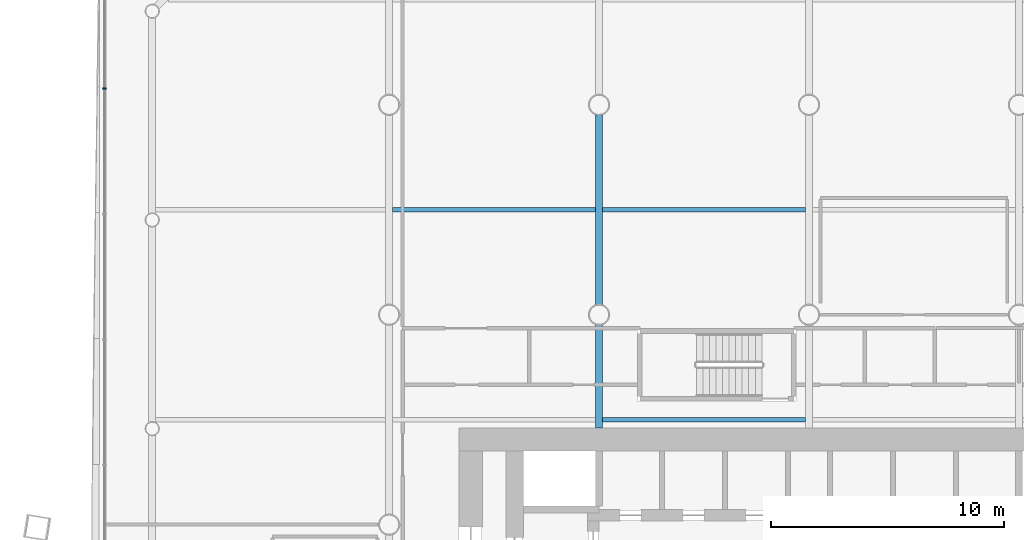
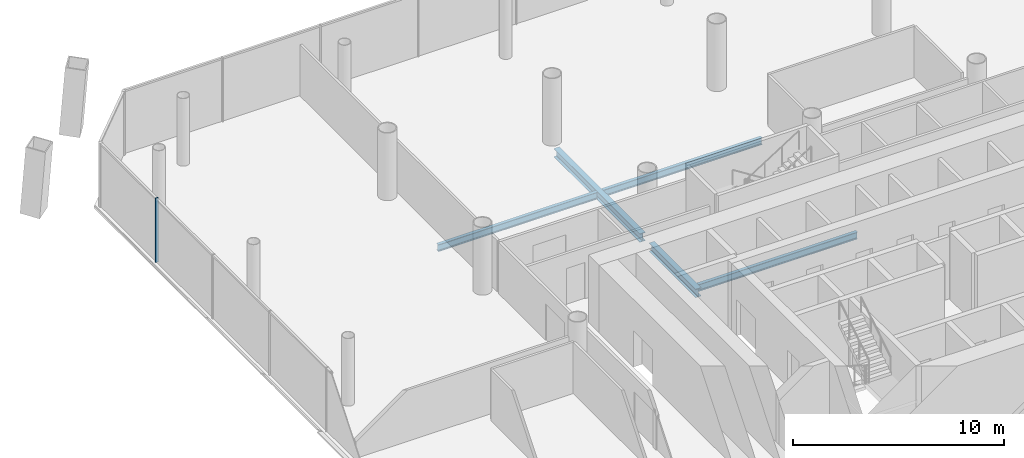
# One storey, part 9 of 22: 5 beams, 1 member, 1 element without a shape of its own.
"""IFC4 building model written with IfcOpenShell, lengths in metres."""

from ifc_helpers import new_model, si_unit, direction, frame, origin, origin_2d, place, context, subcontext, project, spatial, rectangle, i_section, extrude, material, material_profile, profile_set, type_object, element, aggregate, save


model = new_model("IFC4")

# Units and contexts
model_context = context("Model", 3, precision=1e-05, world=origin(), true_north=direction((0.0, 1.0)))
body_context = subcontext(model_context, "Body", "Model", "MODEL_VIEW")
ifc_project = project(units=[si_unit("LENGTHUNIT", "METRE"), si_unit("AREAUNIT", "SQUARE_METRE"), si_unit("VOLUMEUNIT", "CUBIC_METRE"), si_unit("PLANEANGLEUNIT", "RADIAN"), si_unit("MASSUNIT", "GRAM", prefix="KILO")], contexts=[model_context])

# Site, building, storey
site_placement = place(None, origin())
site = spatial("IfcSite", under=ifc_project, at=site_placement, CompositionType="ELEMENT")
building_placement = place(site_placement, origin())
building = spatial("IfcBuilding", under=site, at=building_placement, Name="Tskaro Facet Tower", CompositionType="ELEMENT")
storey_placement = place(building_placement, frame((0.0, 0.0, 26.39990234375)))
storey = spatial("IfcBuildingStorey", under=building, at=storey_placement, Name="L05", CompositionType="ELEMENT", Elevation=26.39990234375)

# Curtain wall, member
ifc_material_1 = material(Name="Bronze anodised aluminium 6063-T6", Category="aluminium")
curtain_wall_type = type_object("IfcCurtainWallType", Name="Bronze office curtain wall (FW1)", PredefinedType="NOTDEFINED", material=ifc_material_1)
curtain_wall_placement = place(storey_placement, origin())
curtain_wall = element("IfcCurtainWall", 1, at=curtain_wall_placement, inside=storey, type_object=curtain_wall_type, Name="FW1 west facet L05", PredefinedType="NOTDEFINED")
ifc_material_profile_1 = material_profile(ifc_material_1, rectangle(XDim=0.06005859375, YDim=0.159912109375, at=origin_2d()), Name="Mullion 60x160")
ifc_profile_set_1 = profile_set([ifc_material_profile_1], Name="Bronze anodised aluminium 6063-T6")
member_type = type_object("IfcMemberType", Name="FW1 bronze mullion 60x160", PredefinedType="MULLION", material=ifc_profile_set_1)
member_placement = place(storey_placement, frame((-30.201904296875, 18.69140625, 0.0), z_axis=(0.0, 0.0, 1.0), x_axis=(0.0, -1.0, 0.0)))
member = element("IfcMember", 2, at=member_placement, type_object=member_type, Name="FW1 west mullion 1", PredefinedType="MULLION", context=body_context, shape_type="SweptSolid", body=[
    extrude(rectangle(XDim=0.06005859375, YDim=0.159912109375, at=origin_2d()), origin(), (0.0, 0.0, 1.0), 3.7001953125),
])
aggregate(curtain_wall, [member])

# Beams
ifc_material_2 = material(Name="Steel S355J2", Category="steel")
ifc_material_profile_2 = material_profile(ifc_material_2, i_section(OverallWidth=0.300048828125, OverallDepth=0.489990234375, WebThickness=0.011962890625, FlangeThickness=0.02294921875, FilletRadius=0.027099609375, at=origin_2d()), Name="HE 500 A")
ifc_profile_set_2 = profile_set([ifc_material_profile_2], Name="Steel S355J2")
beam_type_1 = type_object("IfcBeamType", Name="HE 500 A girder", PredefinedType="BEAM", material=ifc_profile_set_2)
beam_1_placement = place(storey_placement, frame((-9.0, 4.14990234375, -0.385009765625), z_axis=(0.0, 1.0, 0.0), x_axis=(-1.0, 0.0, 0.0)))
element("IfcBeam", 3, at=beam_1_placement, inside=storey, type_object=beam_type_1, Name="HE 500 A GB3-3-1", PredefinedType="BEAM", context=body_context, shape_type="SweptSolid", body=[
    extrude(i_section(OverallWidth=0.300048828125, OverallDepth=0.489990234375, WebThickness=0.011962890625, FlangeThickness=0.02294921875, FilletRadius=0.027099609375, at=origin_2d()), origin(), (0.0, 0.0, 1.0), 4.4228515625),
])
beam_2_placement = place(storey_placement, frame((-9.0, 9.42724609375, -0.385009765625), z_axis=(0.0, 1.0, 0.0), x_axis=(-1.0, 0.0, 0.0)))
element("IfcBeam", 4, at=beam_2_placement, inside=storey, type_object=beam_type_1, Name="HE 500 A GB3-4-1", PredefinedType="BEAM", context=body_context, shape_type="SweptSolid", body=[
    extrude(i_section(OverallWidth=0.300048828125, OverallDepth=0.489990234375, WebThickness=0.011962890625, FlangeThickness=0.02294921875, FilletRadius=0.027099609375, at=origin_2d()), origin(), (0.0, 0.0, 1.0), 8.1455078125),
])
ifc_material_profile_3 = material_profile(ifc_material_2, i_section(OverallWidth=0.179931640625, OverallDepth=0.39990234375, WebThickness=0.008544921875, FlangeThickness=0.013427734375, FilletRadius=0.02099609375, at=origin_2d()), Name="IPE 400")
ifc_profile_set_3 = profile_set([ifc_material_profile_3], Name="Steel S355J2")
beam_type_2 = type_object("IfcBeamType", Name="IPE 400 secondary beam", PredefinedType="BEAM", material=ifc_profile_set_3)
for number, where, z_axis, x_axis, name in (
    (5, (-8.85009765625, 4.5, -0.33984375), (1.0, 0.0, 0.0), (0.0, 1.0, 0.0), "IPE 400 SB4a-3-1"),
    (6, (-17.85009765625, 13.5, -0.33984375), (1.0, 0.0, 0.0), (0.0, 1.0, 0.0), "IPE 400 SB5a-2-1"),
    (7, (-8.85009765625, 13.5, -0.33984375), (1.0, 0.0, 0.0), (0.0, 1.0, 0.0), "IPE 400 SB5a-3-1"),
):
    element("IfcBeam", number, at=place(storey_placement, frame(where, z_axis=z_axis, x_axis=x_axis)), inside=storey, type_object=beam_type_2, Name=name, PredefinedType="BEAM", context=body_context, shape_type="SweptSolid", body=[
        extrude(i_section(OverallWidth=0.179931640625, OverallDepth=0.39990234375, WebThickness=0.008544921875, FlangeThickness=0.013427734375, FilletRadius=0.02099609375, at=origin_2d()), origin(), (0.0, 0.0, 1.0), 8.7001953125),
    ])

save(model, "model.ifc")
